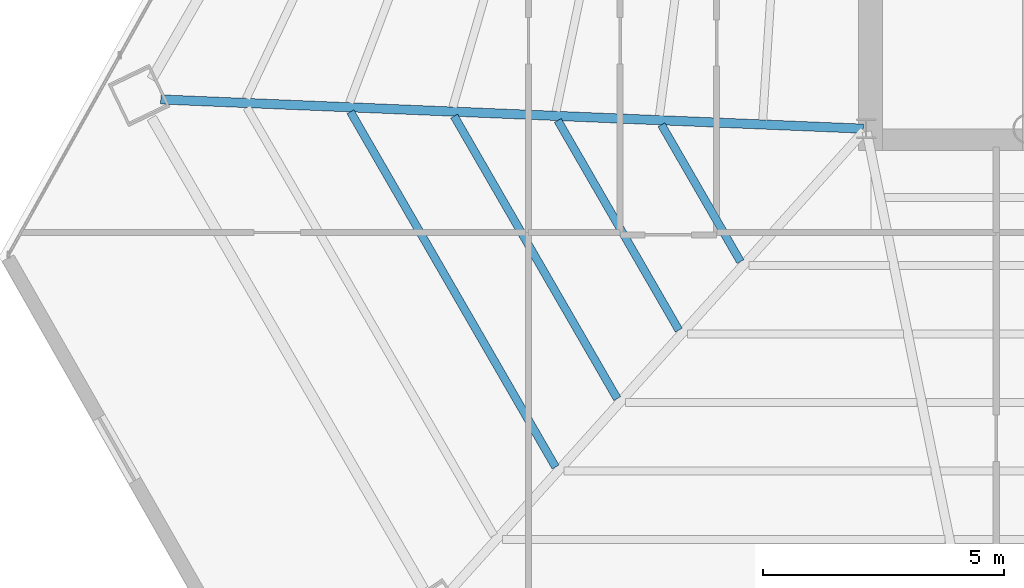
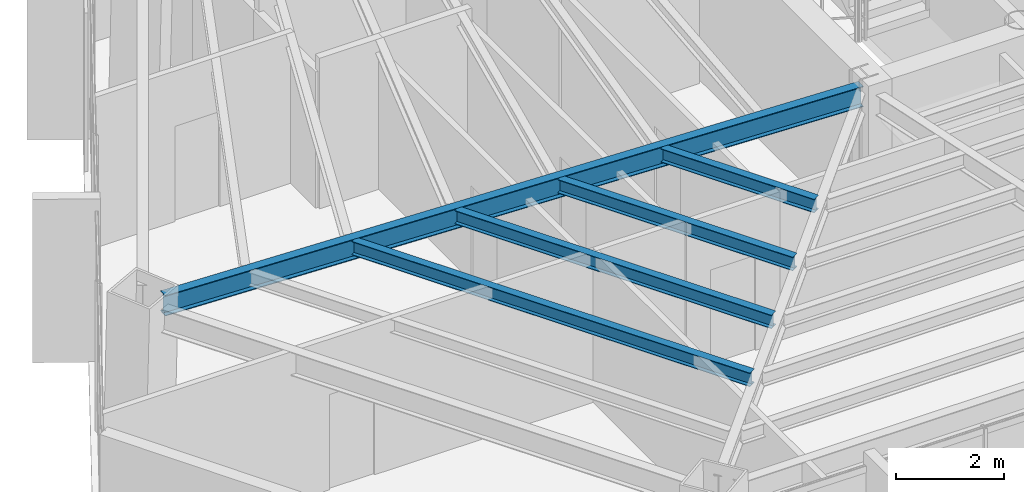
# One storey, part 7 of 38: 5 beams.
"""IFC4 building model written with IfcOpenShell, lengths in metres."""

from ifc_helpers import new_model, si_unit, direction, frame, origin, origin_2d, place, context, subcontext, project, spatial, i_section, extrude, source, transform, mapped, material, material_profile, profile_set, type_object, type_shapes, element, save


model = new_model("IFC4")

# Units and contexts
model_context = context("Model", 3, precision=1e-05, world=origin(), true_north=direction((0.0, 1.0)))
body_context = subcontext(model_context, "Body", "Model", "MODEL_VIEW")
ifc_project = project(units=[si_unit("LENGTHUNIT", "METRE"), si_unit("AREAUNIT", "SQUARE_METRE"), si_unit("VOLUMEUNIT", "CUBIC_METRE"), si_unit("PLANEANGLEUNIT", "RADIAN"), si_unit("MASSUNIT", "GRAM", prefix="KILO")], contexts=[model_context])

# Site, building, storey
site_placement = place(None, origin())
site = spatial("IfcSite", under=ifc_project, at=site_placement, CompositionType="ELEMENT")
building_placement = place(site_placement, origin())
building = spatial("IfcBuilding", under=site, at=building_placement, Name="Caelisora Broadcast Tower", CompositionType="ELEMENT")
storey_placement = place(building_placement, frame((0.0, 0.0, 158.5)))
storey = spatial("IfcBuildingStorey", under=building, at=storey_placement, Name="L41", CompositionType="ELEMENT", Elevation=158.5)

# Beams
ifc_material = material(Name="Steel Grade 350 (AS/NZS 3679.1)", Category="steel")
ifc_material_profile_1 = material_profile(ifc_material, i_section(OverallWidth=0.19091796875, OverallDepth=0.46044921875, WebThickness=0.010009765625, FlangeThickness=0.01611328125, at=origin_2d()), Name="Steel Grade 350 (AS/NZS 3679.1)")
ifc_profile_set_1 = profile_set([ifc_material_profile_1], Name="Steel Grade 350 (AS/NZS 3679.1)")
beam_type_1 = type_object("IfcBeamType", Name="PG06", PredefinedType="BEAM", material=ifc_profile_set_1)
shared_shape_1 = source(origin(), body_context, "Body", "SweptSolid", [
    extrude(i_section(OverallWidth=0.19091796875, OverallDepth=0.46044921875, WebThickness=0.010009765625, FlangeThickness=0.01611328125, at=origin_2d()), origin(), (0.0, 0.0, 1.0), 14.5751953125),
])
type_shapes(beam_type_1, [shared_shape_1])
beam_1_placement = place(storey_placement, frame((30.440185546875, 17.402587890625, 3.169921875), z_axis=(-0.999135393968, 0.041574806328, 0.0), x_axis=(-0.041574806328, -0.999135393968, 0.0)))
element("IfcBeam", 1, at=beam_1_placement, inside=storey, type_object=beam_type_1, Name="L41 beam PG06", PredefinedType="BEAM", context=body_context, shape_type="MappedRepresentation", body=[
    mapped(shared_shape_1, transform((0.0, 0.0, 0.0), scale=1.0)),
])
ifc_material_profile_2 = material_profile(ifc_material, i_section(OverallWidth=0.166015625, OverallDepth=0.30712890625, WebThickness=0.006591796875, FlangeThickness=0.01171875, at=origin_2d()), Name="Steel Grade 350 (AS/NZS 3679.1)")
ifc_profile_set_2 = profile_set([ifc_material_profile_2], Name="Steel Grade 350 (AS/NZS 3679.1)")
beam_type_2 = type_object("IfcBeamType", Name="SB03", PredefinedType="JOIST", material=ifc_profile_set_2)
shared_shape_2 = source(origin(), body_context, "Body", "SweptSolid", [
    extrude(i_section(OverallWidth=0.166015625, OverallDepth=0.30712890625, WebThickness=0.006591796875, FlangeThickness=0.01171875, at=origin_2d()), origin(), (0.0, 0.0, 1.0), 3.276611328125),
])
beam_2_placement = place(storey_placement, frame((26.25732421875, 17.4833984375, 3.246337890625), z_axis=(0.500025583411, -0.866010632691, 0.0), x_axis=(0.866010632691, 0.500025583411, 0.0)))
element("IfcBeam", 2, at=beam_2_placement, inside=storey, type_object=beam_type_2, Name="L41 beam SB03", PredefinedType="JOIST", context=body_context, shape_type="MappedRepresentation", body=[
    mapped(shared_shape_2, transform((0.0, 0.0, 0.0), scale=1.0)),
])
shared_shape_3 = source(origin(), body_context, "Body", "SweptSolid", [
    extrude(i_section(OverallWidth=0.166015625, OverallDepth=0.30712890625, WebThickness=0.006591796875, FlangeThickness=0.01171875, at=origin_2d()), origin(), (0.0, 0.0, 1.0), 5.018798828125),
])
beam_3_placement = place(storey_placement, frame((24.1083984375, 17.572998046875, 3.246337890625), z_axis=(0.500015802937, -0.866016279763, 0.0), x_axis=(0.866016279763, 0.500015802937, 0.0)))
element("IfcBeam", 3, at=beam_3_placement, inside=storey, type_object=beam_type_2, Name="L41 beam SB03", PredefinedType="JOIST", context=body_context, shape_type="MappedRepresentation", body=[
    mapped(shared_shape_3, transform((0.0, 0.0, 0.0), scale=1.0)),
])
shared_shape_4 = source(origin(), body_context, "Body", "SweptSolid", [
    extrude(i_section(OverallWidth=0.166015625, OverallDepth=0.30712890625, WebThickness=0.006591796875, FlangeThickness=0.01171875, at=origin_2d()), origin(), (0.0, 0.0, 1.0), 6.7607421875),
])
beam_4_placement = place(storey_placement, frame((21.959716796875, 17.662353515625, 3.246337890625), z_axis=(0.499999616612, -0.866025625133, 0.0), x_axis=(0.866025625133, 0.499999616612, 0.0)))
element("IfcBeam", 4, at=beam_4_placement, inside=storey, type_object=beam_type_2, Name="L41 beam SB03", PredefinedType="JOIST", context=body_context, shape_type="MappedRepresentation", body=[
    mapped(shared_shape_4, transform((0.0, 0.0, 0.0), scale=1.0)),
])
shared_shape_5 = source(origin(), body_context, "Body", "SweptSolid", [
    extrude(i_section(OverallWidth=0.166015625, OverallDepth=0.30712890625, WebThickness=0.006591796875, FlangeThickness=0.01171875, at=origin_2d()), origin(), (0.0, 0.0, 1.0), 8.503173828125),
])
type_shapes(beam_type_2, [shared_shape_2, shared_shape_3, shared_shape_4, shared_shape_5])
beam_5_placement = place(storey_placement, frame((19.810791015625, 17.751953125, 3.246337890625), z_axis=(0.500008265196, -0.866020631818, 0.0), x_axis=(0.866020631818, 0.500008265196, 0.0)))
element("IfcBeam", 5, at=beam_5_placement, inside=storey, type_object=beam_type_2, Name="L41 beam SB03", PredefinedType="JOIST", context=body_context, shape_type="MappedRepresentation", body=[
    mapped(shared_shape_5, transform((0.0, 0.0, 0.0), scale=1.0)),
])

save(model, "model.ifc")
